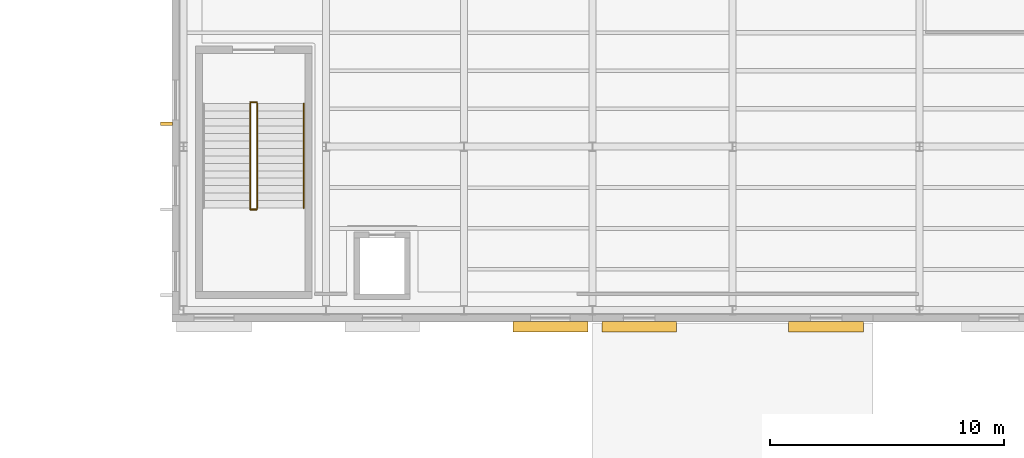
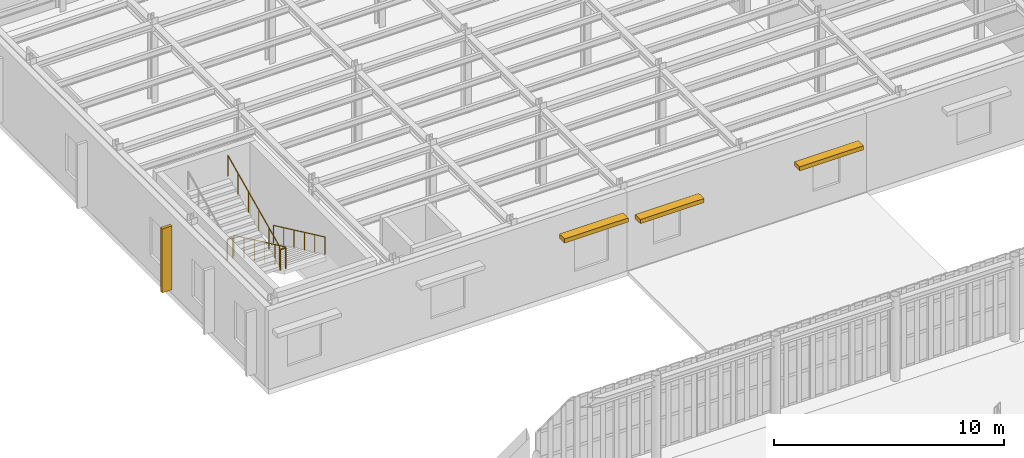
# One storey, part 87 of 91: 5 railings, 4 shading devices, 1 element without a shape of its own.
"""IFC4 building model written with IfcOpenShell, lengths in metres."""

from ifc_helpers import new_model, si_unit, direction, frame, origin, origin_2d, place, context, subcontext, project, spatial, rectangle, circle, extrude, material, type_object, element, aggregate, save


model = new_model("IFC4")

# Units and contexts
model_context = context("Model", 3, precision=1e-05, world=origin(), true_north=direction((0.0, 1.0)))
body_context = subcontext(model_context, "Body", "Model", "MODEL_VIEW")
ifc_project = project(units=[si_unit("LENGTHUNIT", "METRE"), si_unit("AREAUNIT", "SQUARE_METRE"), si_unit("VOLUMEUNIT", "CUBIC_METRE"), si_unit("PLANEANGLEUNIT", "RADIAN"), si_unit("MASSUNIT", "GRAM", prefix="KILO")], contexts=[model_context])

# Site, building, storey
site_placement = place(None, origin())
site = spatial("IfcSite", under=ifc_project, at=site_placement, CompositionType="ELEMENT")
building_placement = place(site_placement, origin())
building = spatial("IfcBuilding", under=site, at=building_placement, Name="Kolvaren Corner Interchange", CompositionType="ELEMENT")
storey_placement = place(building_placement, frame((0.0, 0.0, 6.0)))
storey = spatial("IfcBuildingStorey", under=building, at=storey_placement, Name="L02", CompositionType="ELEMENT", Elevation=6.0)

# Railing
ifc_material_1 = material(Name="Powder-Coated Steel Stairwell Guardrail", Category="steel")
railing_type_1 = type_object("IfcRailingType", Name="RLT-STAIR-GRD1120", PredefinedType="GUARDRAIL", material=ifc_material_1)
railing_1_placement = place(storey_placement, frame((69.639892578125, 93.409912109375, 0.0)))
element("IfcRailing", 1, at=railing_1_placement, inside=storey, type_object=railing_type_1, Name="Cycle Hub West Pavilion Exit Stair L02 Landing Edge Guardrail", PredefinedType="GUARDRAIL", context=body_context, shape_type="SweptSolid", body=[
    extrude(circle(Radius=0.02392578125, at=origin_2d()), frame((0.0, 0.0, 1.09619140625), z_axis=(-1.0, 0.0, 0.0), x_axis=(0.0, -1.0, 0.0)), (0.0, 0.0, 1.0), 0.27978515625),
    extrude(circle(Radius=0.02001953125, at=origin_2d()), origin(), (0.0, 0.0, 1.0), 1.072021484375),
    extrude(circle(Radius=0.02001953125, at=origin_2d()), frame((-0.27978515625, 0.0, 0.0)), (0.0, 0.0, 1.0), 1.072021484375),
])

# Stair, railings
ifc_material_2 = material(Name="Concrete C35/45", Category="concrete")
stair_type = type_object("IfcStairType", Name="ST-PL-2100", PredefinedType="HALF_TURN_STAIR", material=ifc_material_2)
stair_placement = place(storey_placement, origin())
stair = element("IfcStair", 2, at=stair_placement, inside=storey, type_object=stair_type, Name="Cycle Hub West Pavilion Exit Stair L02 to L03 Stair", PredefinedType="HALF_TURN_STAIR")
railing_2_placement = place(storey_placement, frame((69.64990234375, 93.35009765625, 0.14990234375)))
railing_2 = element("IfcRailing", 3, at=railing_2_placement, type_object=railing_type_1, Name="Cycle Hub West Pavilion Exit Stair L02 Lower Flight Well Guardrail", PredefinedType="GUARDRAIL", context=body_context, shape_type="SweptSolid", body=[
    extrude(circle(Radius=0.02392578125, at=origin_2d()), frame((0.0, 0.0, 1.09619140625), z_axis=(0.0, -0.905450639465, 0.424451574969), x_axis=(1.0, 0.0, 0.0)), (0.0, 0.0, 1.0), 4.94775390625),
    extrude(circle(Radius=0.02001953125, at=origin_2d()), origin(), (0.0, 0.0, 1.0), 1.072021484375),
    extrude(circle(Radius=0.02001953125, at=origin_2d()), frame((0.0, -0.89599609375, 0.419921875)), (0.0, 0.0, 1.0), 1.072021484375),
    extrude(circle(Radius=0.02001953125, at=origin_2d()), frame((0.0, -1.7919921875, 0.840087890625)), (0.0, 0.0, 1.0), 1.072021484375),
    extrude(circle(Radius=0.02001953125, at=origin_2d()), frame((0.0, -2.68798828125, 1.260009765625)), (0.0, 0.0, 1.0), 1.072021484375),
    extrude(circle(Radius=0.02001953125, at=origin_2d()), frame((0.0, -3.583984375, 1.68017578125)), (0.0, 0.0, 1.0), 1.072021484375),
    extrude(circle(Radius=0.02001953125, at=origin_2d()), frame((0.0, -4.47998046875, 2.10009765625)), (0.0, 0.0, 1.0), 1.072021484375),
])
railing_3_placement = place(storey_placement, frame((69.639892578125, 88.81005859375, 2.25)))
railing_3 = element("IfcRailing", 4, at=railing_3_placement, type_object=railing_type_1, Name="Cycle Hub West Pavilion Exit Stair L02 Half Landing Well Guardrail", PredefinedType="GUARDRAIL", context=body_context, shape_type="SweptSolid", body=[
    extrude(circle(Radius=0.02392578125, at=origin_2d()), frame((0.0, 0.0, 1.09619140625), z_axis=(-1.0, 0.0, 0.0), x_axis=(0.0, -1.0, 0.0)), (0.0, 0.0, 1.0), 0.27978515625),
    extrude(circle(Radius=0.02001953125, at=origin_2d()), origin(), (0.0, 0.0, 1.0), 1.072021484375),
    extrude(circle(Radius=0.02001953125, at=origin_2d()), frame((-0.27978515625, 0.0, 0.0)), (0.0, 0.0, 1.0), 1.072021484375),
])
railing_4_placement = place(storey_placement, frame((69.35009765625, 88.8701171875, 2.39990234375)))
railing_4 = element("IfcRailing", 5, at=railing_4_placement, type_object=railing_type_1, Name="Cycle Hub West Pavilion Exit Stair L02 Upper Flight Well Guardrail", PredefinedType="GUARDRAIL", context=body_context, shape_type="SweptSolid", body=[
    extrude(circle(Radius=0.02392578125, at=origin_2d()), frame((0.0, 0.0, 1.09619140625), z_axis=(0.0, 0.905450639465, 0.424451574969), x_axis=(-1.0, 0.0, 0.0)), (0.0, 0.0, 1.0), 4.94775390625),
    extrude(circle(Radius=0.02001953125, at=origin_2d()), origin(), (0.0, 0.0, 1.0), 1.072021484375),
    extrude(circle(Radius=0.02001953125, at=origin_2d()), frame((0.0, 0.89599609375, 0.419921875)), (0.0, 0.0, 1.0), 1.072021484375),
    extrude(circle(Radius=0.02001953125, at=origin_2d()), frame((0.0, 1.7919921875, 0.840087890625)), (0.0, 0.0, 1.0), 1.072021484375),
    extrude(circle(Radius=0.02001953125, at=origin_2d()), frame((0.0, 2.68798828125, 1.260009765625)), (0.0, 0.0, 1.0), 1.072021484375),
    extrude(circle(Radius=0.02001953125, at=origin_2d()), frame((0.0, 3.583984375, 1.68017578125)), (0.0, 0.0, 1.0), 1.072021484375),
    extrude(circle(Radius=0.02001953125, at=origin_2d()), frame((0.0, 4.47998046875, 2.10009765625)), (0.0, 0.0, 1.0), 1.072021484375),
])
ifc_material_3 = material(Name="Brushed Stainless Steel Stair Handrail", Category="steel")
railing_type_2 = type_object("IfcRailingType", Name="RLT-STAIR-HR950", PredefinedType="HANDRAIL", material=ifc_material_3)
railing_5_placement = place(storey_placement, frame((71.639892578125, 93.35009765625, 0.14990234375)))
railing_5 = element("IfcRailing", 6, at=railing_5_placement, type_object=railing_type_2, Name="Cycle Hub West Pavilion Exit Stair L02 Lower Flight Wall Handrail", PredefinedType="HANDRAIL", context=body_context, shape_type="SweptSolid", body=[
    extrude(circle(Radius=0.02197265625, at=origin_2d()), frame((0.0, 0.0, 0.927978515625), z_axis=(0.0, -0.905450639465, 0.424451574969), x_axis=(1.0, 0.0, 0.0)), (0.0, 0.0, 1.0), 4.94775390625),
    extrude(circle(Radius=0.01806640625, at=origin_2d()), origin(), (0.0, 0.0, 1.0), 0.906005859375),
    extrude(circle(Radius=0.01806640625, at=origin_2d()), frame((0.0, -0.89599609375, 0.419921875)), (0.0, 0.0, 1.0), 0.906005859375),
    extrude(circle(Radius=0.01806640625, at=origin_2d()), frame((0.0, -1.7919921875, 0.840087890625)), (0.0, 0.0, 1.0), 0.906005859375),
    extrude(circle(Radius=0.01806640625, at=origin_2d()), frame((0.0, -2.68798828125, 1.260009765625)), (0.0, 0.0, 1.0), 0.906005859375),
    extrude(circle(Radius=0.01806640625, at=origin_2d()), frame((0.0, -3.583984375, 1.68017578125)), (0.0, 0.0, 1.0), 0.906005859375),
    extrude(circle(Radius=0.01806640625, at=origin_2d()), frame((0.0, -4.47998046875, 2.10009765625)), (0.0, 0.0, 1.0), 0.906005859375),
])
aggregate(stair, [railing_2, railing_3, railing_4, railing_5])

# Shading devices
ifc_material_4 = material(Name="Glazed Ochre Ceramic Baguette Solar Louvre")
shading_device_type_1 = type_object("IfcShadingDeviceType", Name="SHD-BAG-H450", PredefinedType="JALOUSIE", material=ifc_material_4)
for number, where, z_axis, x_axis, name in (
    (7, (82.199951171875, 83.7900390625, 2.93017578125), (0.0, 0.0, 1.0), (1.0, 0.0, 0.0), "L02 Ceramic Solar Shading 0267"),
    (8, (86.0, 83.7900390625, 2.6298828125), (0.0, 0.0, 1.0), (1.0, 0.0, 0.0), "L02 Ceramic Solar Shading 0271"),
    (9, (94.0, 83.7900390625, 2.6298828125), (0.0, 0.0, 1.0), (1.0, 0.0, 0.0), "L02 Ceramic Solar Shading 0272"),
):
    element("IfcShadingDevice", number, at=place(storey_placement, frame(where, z_axis=z_axis, x_axis=x_axis)), inside=storey, type_object=shading_device_type_1, Name=name, PredefinedType="JALOUSIE", context=body_context, shape_type="SweptSolid", body=[
        extrude(rectangle(XDim=3.199951171875, YDim=0.449951171875, at=origin_2d()), origin(), (0.0, 0.0, 1.0), 0.219970703125),
    ])
ifc_material_5 = material(Name="Vertical Terracotta Solar Fin", Category="masonry")
shading_device_type_2 = type_object("IfcShadingDeviceType", Name="SHD-FIN-V500", PredefinedType="USERDEFINED", material=ifc_material_5)
shading_device_placement = place(storey_placement, frame((65.764892578125, 92.485107421875, 0.199951171875), z_axis=(0.0, 0.0, 1.0), x_axis=(0.0, -1.0, 0.0)))
element("IfcShadingDevice", 10, at=shading_device_placement, inside=storey, type_object=shading_device_type_2, Name="L02 Ceramic Solar Shading 0290", ObjectType="SUNSHADE", PredefinedType="USERDEFINED", context=body_context, shape_type="SweptSolid", body=[
    extrude(rectangle(XDim=0.139892578125, YDim=0.5, at=origin_2d()), origin(), (0.0, 0.0, 1.0), 3.39990234375),
])

save(model, "model.ifc")
